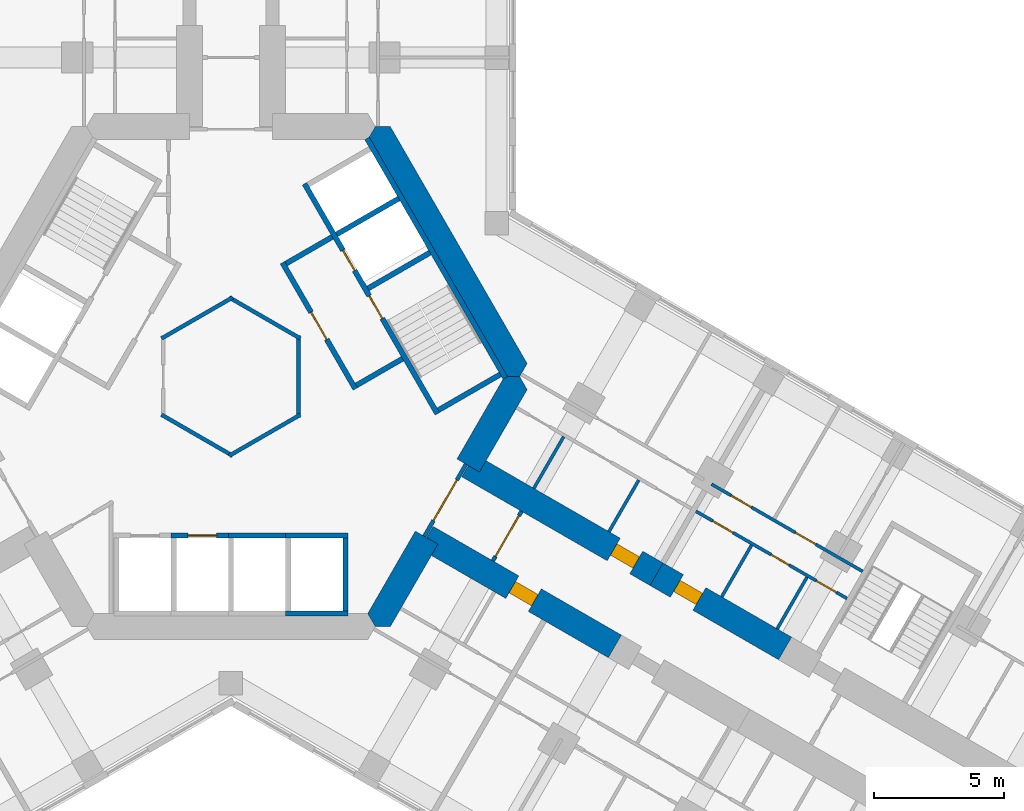
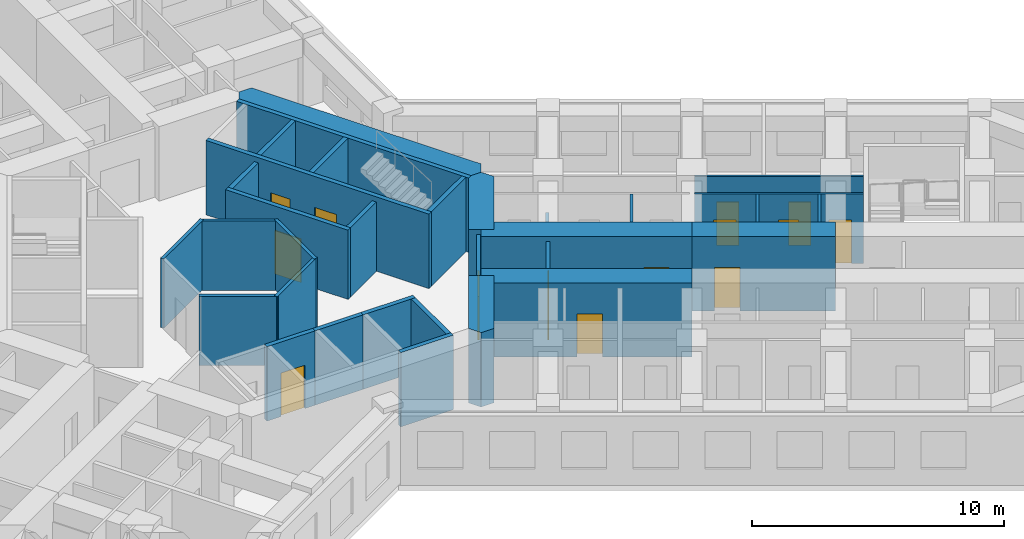
# One storey, part 15 of 21: 32 walls, 14 doors, 14 openings.
"""IFC4 building model written with IfcOpenShell, lengths in metres."""

from ifc_helpers import new_model, si_unit, direction, frame, frame_2d, origin, place, context, subcontext, project, spatial, polyline, rectangle, outline, extrude, material, layer, layer_set, type_object, element, fill, save


model = new_model("IFC4")

# Units and contexts
model_context = context("Model", 3, precision=1e-05, world=origin(), true_north=direction((0.0, 1.0)))
body_context = subcontext(model_context, "Body", "Model", "MODEL_VIEW")
ifc_project = project(units=[si_unit("LENGTHUNIT", "METRE"), si_unit("AREAUNIT", "SQUARE_METRE"), si_unit("VOLUMEUNIT", "CUBIC_METRE"), si_unit("PLANEANGLEUNIT", "RADIAN"), si_unit("MASSUNIT", "GRAM", prefix="KILO")], contexts=[model_context])

# Site, building, storey
site_placement = place(None, origin())
site = spatial("IfcSite", under=ifc_project, at=site_placement, CompositionType="ELEMENT")
building_placement = place(site_placement, origin())
building = spatial("IfcBuilding", under=site, at=building_placement, Name="Kosmar Iwan School Tower", CompositionType="ELEMENT")
storey_placement = place(building_placement, frame((0.0, 0.0, 84.39990234375)))
storey = spatial("IfcBuildingStorey", under=building, at=storey_placement, Name="L20", CompositionType="ELEMENT", Elevation=84.39990234375)

# Walls
ifc_material_1 = material(Name="Gypsum board on steel studs, fire-rated", Category="steel")
ifc_layer_1 = layer(ifc_material_1, 0.14990234375)
ifc_layer_set_1 = layer_set([ifc_layer_1], Name="Core room partition 150")
wall_type_1 = type_object("IfcWallType", Name="Core room partition 150", PredefinedType="PARTITIONING", material=ifc_layer_set_1)
for number, where, z_axis, x_axis, name in (
    (1, (2.6650390625, -1.463623046875, 0.0), (0.0, 0.0, 1.0), (-0.866023080072, -0.500004024767, 0.0), "Core room partition L20-CW4"),
    (2, (0.06494140625, -3.039794921875, 0.0), (0.0, 0.0, 1.0), (-0.866023080072, 0.500004024767, 0.0), "Core room partition L20-CW5"),
    (3, (-2.6650390625, 1.463623046875, 0.0), (0.0, 0.0, 1.0), (0.866023080072, 0.500004024767, 0.0), "Core room partition L20-CW7"),
    (4, (-0.06494140625, 3.039794921875, 0.0), (0.0, 0.0, 1.0), (0.866023080072, -0.500004024767, 0.0), "Core room partition L20-CW8"),
    (5, (2.60009765625, 1.576171875, 0.0), (0.0, 0.0, 1.0), (0.0, -1.0, 0.0), "Core room partition L20-CW9"),
):
    element("IfcWall", number, at=place(storey_placement, frame(where, z_axis=z_axis, x_axis=x_axis)), inside=storey, type_object=wall_type_1, Name=name, PredefinedType="PARTITIONING", context=body_context, shape_type="SweptSolid", body=[
        extrude(rectangle(XDim=3.15234375, YDim=0.14990234375, at=frame_2d((1.576171875, 0.0))), origin(), (0.0, 0.0, 1.0), 3.35009765625),
    ])
ifc_material_2 = material(Name="Concrete C50/60", Category="concrete")
ifc_layer_2 = layer(ifc_material_2, 1.0)
ifc_layer_set_2 = layer_set([ifc_layer_2], Name="Core wall 1000")
wall_type_2 = type_object("IfcWallType", Name="Core wall 1000", PredefinedType="SHEAR", material=ifc_layer_set_2)
wall_1_placement = place(storey_placement, origin())
element("IfcWall", 6, at=wall_1_placement, inside=storey, type_object=wall_type_2, Name="Core wall F030", PredefinedType="SHEAR", context=body_context, shape_type="SweptSolid", body=[
    extrude(outline(polyline([(10.5078125, 0.0), (11.085205078125, 0.0), (11.373779296875, 0.5), (6.119873046875, 9.60009765625), (5.54248046875, 9.60009765625), (5.25390625, 9.10009765625), (10.5078125, 0.0)])), origin(), (0.0, 0.0, 1.0), 3.60009765625),
])
wall_2_placement = place(storey_placement, origin())
element("IfcWall", 7, at=wall_2_placement, inside=storey, type_object=wall_type_2, Name="Core wall F330a", PredefinedType="SHEAR", context=body_context, shape_type="SweptSolid", body=[
    extrude(outline(polyline([(5.54248046875, -9.60009765625), (6.119873046875, -9.60009765625), (7.94677734375, -6.435546875), (7.080810546875, -5.935546875), (5.25390625, -9.10009765625), (5.54248046875, -9.60009765625)])), origin(), (0.0, 0.0, 1.0), 3.60009765625),
])
wall_3_placement = place(storey_placement, origin())
element("IfcWall", 8, at=wall_3_placement, inside=storey, type_object=wall_type_2, Name="Core wall F330b", PredefinedType="SHEAR", context=body_context, shape_type="SweptSolid", body=[
    extrude(outline(polyline([(9.546875, -3.664306640625), (11.373779296875, -0.5), (11.085205078125, 0.0), (10.5078125, 0.0), (8.680908203125, -3.164306640625), (9.546875, -3.664306640625)])), origin(), (0.0, 0.0, 1.0), 3.60009765625),
])

# Wall, opening, door
ifc_material_3 = material(Name="Concrete C50/60", Category="concrete")
ifc_layer_3 = layer(ifc_material_3, 1.0)
ifc_layer_set_3 = layer_set([ifc_layer_3], Name="Corridor buttress wall 1000")
wall_type_3 = type_object("IfcWallType", Name="Corridor buttress wall 1000", PredefinedType="SHEAR", material=ifc_layer_set_3)
wall_4_placement = place(storey_placement, frame((9.11376953125, -3.414306640625, 0.0), z_axis=(0.0, 0.0, 1.0), x_axis=(0.866026859388, -0.499997478812, 0.0)))
wall_4 = element("IfcWall", 9, at=wall_4_placement, inside=storey, type_object=wall_type_3, Name="Corridor wall CL", PredefinedType="SHEAR", context=body_context, shape_type="SweptSolid", body=[
    extrude(rectangle(XDim=8.35009765625, YDim=1.0, at=frame_2d((4.175048828125, 0.0))), origin(), (0.0, 0.0, 1.0), 3.60009765625),
])
opening_1_placement = place(wall_4_placement, frame((6.449951171875, 0.0, 0.0)))
opening_1 = element("IfcOpeningElement", 10, at=opening_1_placement, cuts=wall_4, Name="Opening D1", PredefinedType="OPENING", context=body_context, shape_type="SweptSolid", body=[
    extrude(rectangle(XDim=1.0, YDim=2.10009765625, at=frame_2d((0.5, 1.050048828125))), frame((0.0, 0.511962890625, 0.0), z_axis=(0.0, -1.0, 0.0), x_axis=(1.0, 0.0, 0.0)), (0.0, 0.0, 1.0), 1.02392578125),
])
ifc_material_4 = material(Name="Timber fire door in steel frame", Category="steel")
door_type_1 = type_object("IfcDoorType", Name="Flat entrance door 1000x2100", OperationType="SINGLE_SWING_LEFT", PredefinedType="DOOR", material=ifc_material_4)
door_1_placement = place(opening_1_placement, origin())
door_1 = element("IfcDoor", 11, at=door_1_placement, inside=storey, type_object=door_type_1, Name="Flat L20-CL1 entrance door", OperationType="SINGLE_SWING_LEFT", OverallHeight=2.10009765625, OverallWidth=1.0, PredefinedType="DOOR", context=body_context, shape_type="SweptSolid", body=[
    extrude(rectangle(XDim=1.0, YDim=2.10009765625, at=frame_2d((0.5, 1.050048828125))), frame((0.0, 0.25, 0.0), z_axis=(0.0, -1.0, 0.0), x_axis=(1.0, 0.0, 0.0)), (0.0, 0.0, 1.0), 0.5),
])
fill(opening_1, door_1)

wall_5_placement = place(storey_placement, frame((16.34521484375, -7.58935546875, 0.0), z_axis=(0.0, 0.0, 1.0), x_axis=(0.866015111908, -0.50001782563, 0.0)))
wall_5 = element("IfcWall", 12, at=wall_5_placement, inside=storey, type_object=wall_type_3, Name="Corridor wall CL bay 2", PredefinedType="SHEAR", context=body_context, shape_type="SweptSolid", body=[
    extrude(rectangle(XDim=5.699951171875, YDim=1.0, at=frame_2d((2.85009765625, 0.0))), origin(), (0.0, 0.0, 1.0), 3.60009765625),
])
opening_2_placement = place(wall_5_placement, frame((0.89990234375, 0.0, 0.0)))
opening_2 = element("IfcOpeningElement", 13, at=opening_2_placement, cuts=wall_5, Name="Opening D1", PredefinedType="OPENING", context=body_context, shape_type="SweptSolid", body=[
    extrude(rectangle(XDim=1.0, YDim=2.10009765625, at=frame_2d((0.5, 1.050048828125))), frame((0.0, 0.511962890625, 0.0), z_axis=(0.0, -1.0, 0.0), x_axis=(1.0, 0.0, 0.0)), (0.0, 0.0, 1.0), 1.02392578125),
])
door_2_placement = place(opening_2_placement, origin())
door_2 = element("IfcDoor", 14, at=door_2_placement, inside=storey, type_object=door_type_1, Name="Flat L20-CL2 entrance door", OperationType="SINGLE_SWING_RIGHT", OverallHeight=2.10009765625, OverallWidth=1.0, PredefinedType="DOOR", context=body_context, shape_type="SweptSolid", body=[
    extrude(rectangle(XDim=1.0, YDim=2.10009765625, at=frame_2d((0.5, 1.050048828125))), frame((0.0, 0.25, 0.0), z_axis=(0.0, -1.0, 0.0), x_axis=(1.0, 0.0, 0.0)), (0.0, 0.0, 1.0), 0.5),
])
fill(opening_2, door_2)

wall_6_placement = place(storey_placement, frame((7.513916015625, -6.185546875, 0.0), z_axis=(0.0, 0.0, 1.0), x_axis=(0.866019549707, -0.500010139422, 0.0)))
wall_6 = element("IfcWall", 15, at=wall_6_placement, inside=storey, type_object=wall_type_3, Name="Corridor wall CR", PredefinedType="SHEAR", context=body_context, shape_type="SweptSolid", body=[
    extrude(rectangle(XDim=8.349853515625, YDim=1.0, at=frame_2d((4.1748046875, 0.0))), origin(), (0.0, 0.0, 1.0), 3.60009765625),
])
opening_3_placement = place(wall_6_placement, frame((3.800048828125, 0.0, 0.0)))
opening_3 = element("IfcOpeningElement", 16, at=opening_3_placement, cuts=wall_6, Name="Opening D1", PredefinedType="OPENING", context=body_context, shape_type="SweptSolid", body=[
    extrude(rectangle(XDim=1.0, YDim=2.10009765625, at=frame_2d((0.5, 1.050048828125))), frame((0.0, 0.511962890625, 0.0), z_axis=(0.0, -1.0, 0.0), x_axis=(1.0, 0.0, 0.0)), (0.0, 0.0, 1.0), 1.02392578125),
])
door_3_placement = place(opening_3_placement, origin())
door_3 = element("IfcDoor", 17, at=door_3_placement, inside=storey, type_object=door_type_1, Name="Flat L20-CR1 entrance door", OperationType="SINGLE_SWING_LEFT", OverallHeight=2.10009765625, OverallWidth=1.0, PredefinedType="DOOR", context=body_context, shape_type="SweptSolid", body=[
    extrude(rectangle(XDim=1.0, YDim=2.10009765625, at=frame_2d((0.5, 1.050048828125))), frame((0.0, 0.25, 0.0), z_axis=(0.0, -1.0, 0.0), x_axis=(1.0, 0.0, 0.0)), (0.0, 0.0, 1.0), 0.5),
])
fill(opening_3, door_3)

ifc_material_5 = material(Name="Gypsum board on steel studs, fire-rated", Category="steel")
ifc_layer_4 = layer(ifc_material_5, 0.14990234375)
ifc_layer_set_4 = layer_set([ifc_layer_4], Name="Corridor end wall 150")
wall_type_4 = type_object("IfcWallType", Name="Corridor end wall 150", PredefinedType="PARTITIONING", material=ifc_layer_set_4)
wall_7_placement = place(storey_placement, frame((10.058837890625, -7.07763671875, 0.0), z_axis=(0.0, 0.0, 1.0), x_axis=(0.50002983664, 0.866008176907, 0.0)))
wall_7 = element("IfcWall", 18, at=wall_7_placement, inside=storey, type_object=wall_type_4, Name="Partition L20-C-HW", PredefinedType="PARTITIONING", context=body_context, shape_type="SweptSolid", body=[
    extrude(rectangle(XDim=2.199951171875, YDim=0.14990234375, at=frame_2d((1.10009765625, 0.0))), origin(), (0.0, 0.0, 1.0), 3.35009765625),
])
opening_4_placement = place(wall_7_placement, frame((0.199951171875, 0.0, 0.0)))
opening_4 = element("IfcOpeningElement", 19, at=opening_4_placement, cuts=wall_7, Name="Opening D9", PredefinedType="OPENING", context=body_context, shape_type="SweptSolid", body=[
    extrude(rectangle(XDim=1.800048828125, YDim=2.10009765625, at=frame_2d((0.89990234375, 1.050048828125))), frame((0.0, 0.0869140625, 0.0), z_axis=(0.0, -1.0, 0.0), x_axis=(1.0, 0.0, 0.0)), (0.0, 0.0, 1.0), 0.173828125),
])
ifc_material_6 = material(Name="Steel framed glazed smoke door", Category="steel")
door_type_2 = type_object("IfcDoorType", Name="Corridor smoke door pair 1800x2100", OperationType="DOUBLE_DOOR_DOUBLE_SWING", PredefinedType="DOOR", material=ifc_material_6)
door_4_placement = place(opening_4_placement, origin())
door_4 = element("IfcDoor", 20, at=door_4_placement, inside=storey, type_object=door_type_2, Name="Entrance vestibule smoke doors L20-C", OperationType="DOUBLE_DOOR_DOUBLE_SWING", OverallHeight=2.10009765625, OverallWidth=1.800048828125, PredefinedType="DOOR", context=body_context, shape_type="SweptSolid", body=[
    extrude(rectangle(XDim=1.800048828125, YDim=2.10009765625, at=frame_2d((0.89990234375, 1.050048828125))), frame((0.0, 0.02490234375, 0.0), z_axis=(0.0, -1.0, 0.0), x_axis=(1.0, 0.0, 0.0)), (0.0, 0.0, 1.0), 0.050048828125),
])
fill(opening_4, door_4)

ifc_material_7 = material(Name="Steel framed glazed screen", Category="steel")
ifc_layer_5 = layer(ifc_material_7, 0.14990234375)
ifc_layer_set_5 = layer_set([ifc_layer_5], Name="Corridor screen wall 150")
wall_type_5 = type_object("IfcWallType", Name="Corridor screen wall 150", PredefinedType="PARTITIONING", material=ifc_layer_set_5)
wall_8_placement = place(storey_placement, frame((7.42724609375, -6.1357421875, 0.0), z_axis=(0.0, 0.0, 1.0), x_axis=(0.499995408039, 0.866028054938, 0.0)))
wall_8 = element("IfcWall", 21, at=wall_8_placement, inside=storey, type_object=wall_type_5, Name="Corridor screen C L20", PredefinedType="PARTITIONING", context=body_context, shape_type="SweptSolid", body=[
    extrude(rectangle(XDim=3.2001953125, YDim=0.14990234375, at=frame_2d((1.60009765625, 0.0))), origin(), (0.0, 0.0, 1.0), 3.35009765625),
])
opening_5_placement = place(wall_8_placement, frame((0.699951171875, 0.0, 0.0)))
opening_5 = element("IfcOpeningElement", 22, at=opening_5_placement, cuts=wall_8, Name="Opening D9", PredefinedType="OPENING", context=body_context, shape_type="SweptSolid", body=[
    extrude(rectangle(XDim=1.800048828125, YDim=2.10009765625, at=frame_2d((0.89990234375, 1.050048828125))), frame((0.0, 0.0869140625, 0.0), z_axis=(0.0, -1.0, 0.0), x_axis=(1.0, 0.0, 0.0)), (0.0, 0.0, 1.0), 0.173828125),
])
door_5_placement = place(opening_5_placement, origin())
door_5 = element("IfcDoor", 23, at=door_5_placement, inside=storey, type_object=door_type_2, Name="Corridor doors C L20", OperationType="DOUBLE_DOOR_DOUBLE_SWING", OverallHeight=2.10009765625, OverallWidth=1.800048828125, PredefinedType="DOOR", context=body_context, shape_type="SweptSolid", body=[
    extrude(rectangle(XDim=1.800048828125, YDim=2.10009765625, at=frame_2d((0.89990234375, 1.050048828125))), frame((0.0, 0.02490234375, 0.0), z_axis=(0.0, -1.0, 0.0), x_axis=(1.0, 0.0, 0.0)), (0.0, 0.0, 1.0), 0.050048828125),
])
fill(opening_5, door_5)

# Walls
ifc_material_8 = material(Name="Gypsum board on steel studs", Category="steel")
ifc_layer_6 = layer(ifc_material_8, 0.1201171875)
ifc_layer_set_6 = layer_set([ifc_layer_6], Name="Dwelling partition 120")
wall_type_6 = type_object("IfcWallType", Name="Dwelling partition 120", PredefinedType="PARTITIONING", material=ifc_layer_set_6)
wall_9_placement = place(storey_placement, frame((11.6328125, -4.291259765625, 0.0), z_axis=(0.0, 0.0, 1.0), x_axis=(0.500014693593, 0.866016920268, 0.0)))
element("IfcWall", 24, at=wall_9_placement, inside=storey, type_object=wall_type_6, Name="Partition L20-CL1-Y1", PredefinedType="PARTITIONING", context=body_context, shape_type="SweptSolid", body=[
    extrude(rectangle(XDim=2.2900390625, YDim=0.1201171875, at=frame_2d((1.14501953125, 0.0))), origin(), (0.0, 0.0, 1.0), 2.4501953125),
])
wall_10_placement = place(storey_placement, frame((14.5166015625, -5.956298828125, 0.0), z_axis=(0.0, 0.0, 1.0), x_axis=(0.500014693593, 0.866016920268, 0.0)))
element("IfcWall", 25, at=wall_10_placement, inside=storey, type_object=wall_type_6, Name="Partition L20-CL1-Y2", PredefinedType="PARTITIONING", context=body_context, shape_type="SweptSolid", body=[
    extrude(rectangle(XDim=2.2900390625, YDim=0.1201171875, at=frame_2d((1.14501953125, 0.0))), origin(), (0.0, 0.0, 1.0), 3.35009765625),
])

# Wall, openings, doors
wall_11_placement = place(storey_placement, frame((17.856689453125, -5.171142578125, 0.0), z_axis=(0.0, 0.0, 1.0), x_axis=(0.866023571113, -0.500003174267, 0.0)))
wall_11 = element("IfcWall", 26, at=wall_11_placement, inside=storey, type_object=wall_type_6, Name="Partition L20-CL2-W1", PredefinedType="PARTITIONING", context=body_context, shape_type="SweptSolid", body=[
    extrude(rectangle(XDim=6.7001953125, YDim=0.1201171875, at=frame_2d((3.35009765625, 0.0))), origin(), (0.0, 0.0, 1.0), 3.35009765625),
])
opening_6_placement = place(wall_11_placement, frame((0.75, 0.0, 0.0)))
opening_6 = element("IfcOpeningElement", 27, at=opening_6_placement, cuts=wall_11, Name="Opening D2", PredefinedType="OPENING", context=body_context, shape_type="SweptSolid", body=[
    extrude(rectangle(XDim=0.89990234375, YDim=2.10009765625, at=frame_2d((0.449951171875, 1.050048828125))), frame((0.0, 0.072021484375, 0.0), z_axis=(0.0, -1.0, 0.0), x_axis=(1.0, 0.0, 0.0)), (0.0, 0.0, 1.0), 0.14404296875),
])
opening_7_placement = place(wall_11_placement, frame((3.330078125, 0.0, 0.0)))
opening_7 = element("IfcOpeningElement", 28, at=opening_7_placement, cuts=wall_11, Name="Opening D3", PredefinedType="OPENING", context=body_context, shape_type="SweptSolid", body=[
    extrude(rectangle(XDim=0.800048828125, YDim=2.10009765625, at=frame_2d((0.39990234375, 1.050048828125))), frame((0.0, 0.072021484375, 0.0), z_axis=(0.0, -1.0, 0.0), x_axis=(1.0, 0.0, 0.0)), (0.0, 0.0, 1.0), 0.14404296875),
])
opening_8_placement = place(wall_11_placement, frame((5.330078125, 0.0, 0.0)))
opening_8 = element("IfcOpeningElement", 29, at=opening_8_placement, cuts=wall_11, Name="Opening D2", PredefinedType="OPENING", context=body_context, shape_type="SweptSolid", body=[
    extrude(rectangle(XDim=0.89990234375, YDim=2.10009765625, at=frame_2d((0.449951171875, 1.050048828125))), frame((0.0, 0.072021484375, 0.0), z_axis=(0.0, -1.0, 0.0), x_axis=(1.0, 0.0, 0.0)), (0.0, 0.0, 1.0), 0.14404296875),
])
ifc_material_9 = material(Name="Timber door in timber frame", Category="wood")
door_type_3 = type_object("IfcDoorType", Name="Internal door 900x2100", OperationType="SINGLE_SWING_LEFT", PredefinedType="DOOR", material=ifc_material_9)
door_6_placement = place(opening_6_placement, origin())
door_6 = element("IfcDoor", 30, at=door_6_placement, inside=storey, type_object=door_type_3, Name="Entrance hall door L20-CL2-S1", OperationType="SINGLE_SWING_LEFT", OverallHeight=2.10009765625, OverallWidth=0.89990234375, PredefinedType="DOOR", context=body_context, shape_type="SweptSolid", body=[
    extrude(rectangle(XDim=0.89990234375, YDim=2.10009765625, at=frame_2d((0.449951171875, 1.050048828125))), frame((0.0, 0.02490234375, 0.0), z_axis=(0.0, -1.0, 0.0), x_axis=(1.0, 0.0, 0.0)), (0.0, 0.0, 1.0), 0.050048828125),
])
fill(opening_6, door_6)
door_7_placement = place(opening_8_placement, frame((0.89990234375, 0.0, 0.0), z_axis=(0.0, 0.0, 1.0), x_axis=(-1.0, 0.0, 0.0)))
door_7 = element("IfcDoor", 31, at=door_7_placement, inside=storey, type_object=door_type_3, Name="Pantry door L20-CL2-S3", OperationType="SINGLE_SWING_LEFT", OverallHeight=2.10009765625, OverallWidth=0.89990234375, PredefinedType="DOOR", context=body_context, shape_type="SweptSolid", body=[
    extrude(rectangle(XDim=0.89990234375, YDim=2.10009765625, at=frame_2d((0.449951171875, 1.050048828125))), frame((0.0, 0.02490234375, 0.0), z_axis=(0.0, -1.0, 0.0), x_axis=(1.0, 0.0, 0.0)), (0.0, 0.0, 1.0), 0.050048828125),
])
fill(opening_8, door_7)
ifc_material_10 = material(Name="Timber door in timber frame", Category="wood")
door_type_4 = type_object("IfcDoorType", Name="Sanitary room door 800x2100", OperationType="SINGLE_SWING_LEFT", PredefinedType="DOOR", material=ifc_material_10)
door_8_placement = place(opening_7_placement, origin())
door_8 = element("IfcDoor", 32, at=door_8_placement, inside=storey, type_object=door_type_4, Name="Bathroom door L20-CL2-S2", OperationType="SINGLE_SWING_RIGHT", OverallHeight=2.10009765625, OverallWidth=0.800048828125, PredefinedType="DOOR", context=body_context, shape_type="SweptSolid", body=[
    extrude(rectangle(XDim=0.800048828125, YDim=2.10009765625, at=frame_2d((0.39990234375, 1.050048828125))), frame((0.0, 0.02490234375, 0.0), z_axis=(0.0, -1.0, 0.0), x_axis=(1.0, 0.0, 0.0)), (0.0, 0.0, 1.0), 0.050048828125),
])
fill(opening_7, door_8)

wall_12_placement = place(storey_placement, frame((18.456787109375, -4.1318359375, 0.0), z_axis=(0.0, 0.0, 1.0), x_axis=(0.866014461049, -0.500018952895, 0.0)))
wall_12 = element("IfcWall", 33, at=wall_12_placement, inside=storey, type_object=wall_type_6, Name="Partition L20-CL2-W2", PredefinedType="PARTITIONING", context=body_context, shape_type="SweptSolid", body=[
    extrude(rectangle(XDim=6.699951171875, YDim=0.1201171875, at=frame_2d((3.35009765625, 0.0))), origin(), (0.0, 0.0, 1.0), 3.35009765625),
])
opening_9_placement = place(wall_12_placement, frame((0.875, 0.0, 0.0)))
opening_9 = element("IfcOpeningElement", 34, at=opening_9_placement, cuts=wall_12, Name="Opening D2", PredefinedType="OPENING", context=body_context, shape_type="SweptSolid", body=[
    extrude(rectangle(XDim=0.89990234375, YDim=2.10009765625, at=frame_2d((0.449951171875, 1.050048828125))), frame((0.0, 0.072021484375, 0.0), z_axis=(0.0, -1.0, 0.0), x_axis=(1.0, 0.0, 0.0)), (0.0, 0.0, 1.0), 0.14404296875),
])
opening_10_placement = place(wall_12_placement, frame((3.72509765625, 0.0, 0.0)))
opening_10 = element("IfcOpeningElement", 35, at=opening_10_placement, cuts=wall_12, Name="Opening D2", PredefinedType="OPENING", context=body_context, shape_type="SweptSolid", body=[
    extrude(rectangle(XDim=0.89990234375, YDim=2.10009765625, at=frame_2d((0.449951171875, 1.050048828125))), frame((0.0, 0.072021484375, 0.0), z_axis=(0.0, -1.0, 0.0), x_axis=(1.0, 0.0, 0.0)), (0.0, 0.0, 1.0), 0.14404296875),
])
door_9_placement = place(opening_9_placement, origin())
door_9 = element("IfcDoor", 36, at=door_9_placement, inside=storey, type_object=door_type_3, Name="Living room and kitchen door L20-CL2-F1", OperationType="SINGLE_SWING_LEFT", OverallHeight=2.10009765625, OverallWidth=0.89990234375, PredefinedType="DOOR", context=body_context, shape_type="SweptSolid", body=[
    extrude(rectangle(XDim=0.89990234375, YDim=2.10009765625, at=frame_2d((0.449951171875, 1.050048828125))), frame((0.0, 0.02490234375, 0.0), z_axis=(0.0, -1.0, 0.0), x_axis=(1.0, 0.0, 0.0)), (0.0, 0.0, 1.0), 0.050048828125),
])
fill(opening_9, door_9)
door_10_placement = place(opening_10_placement, origin())
door_10 = element("IfcDoor", 37, at=door_10_placement, inside=storey, type_object=door_type_3, Name="Bedroom 1 door L20-CL2-F2", OperationType="SINGLE_SWING_RIGHT", OverallHeight=2.10009765625, OverallWidth=0.89990234375, PredefinedType="DOOR", context=body_context, shape_type="SweptSolid", body=[
    extrude(rectangle(XDim=0.89990234375, YDim=2.10009765625, at=frame_2d((0.449951171875, 1.050048828125))), frame((0.0, 0.02490234375, 0.0), z_axis=(0.0, -1.0, 0.0), x_axis=(1.0, 0.0, 0.0)), (0.0, 0.0, 1.0), 0.050048828125),
])
fill(opening_10, door_10)

# Walls
for number, where, z_axis, x_axis, name in (
    (38, (18.846923828125, -8.456298828125, 0.0), (0.0, 0.0, 1.0), (0.500014693593, 0.866016920268, 0.0), "Partition L20-CL2-Y1"),
    (39, (20.977294921875, -9.686279296875, 0.0), (0.0, 0.0, 1.0), (0.500014693593, 0.866016920268, 0.0), "Partition L20-CL2-Y2"),
):
    element("IfcWall", number, at=place(storey_placement, frame(where, z_axis=z_axis, x_axis=x_axis)), inside=storey, type_object=wall_type_6, Name=name, PredefinedType="PARTITIONING", context=body_context, shape_type="SweptSolid", body=[
        extrude(rectangle(XDim=2.2900390625, YDim=0.1201171875, at=frame_2d((1.14501953125, 0.0))), origin(), (0.0, 0.0, 1.0), 3.35009765625),
    ])

# Wall, opening, door
ifc_material_11 = material(Name="Concrete block masonry", Category="masonry")
ifc_layer_7 = layer(ifc_material_11, 0.199951171875)
ifc_layer_set_7 = layer_set([ifc_layer_7], Name="Fire lobby wall 200")
wall_type_7 = type_object("IfcWallType", Name="Fire lobby wall 200", PredefinedType="PARTITIONING", material=ifc_layer_set_7)
wall_13_placement = place(storey_placement, frame((4.777587890625, -0.474853515625, 0.0), z_axis=(0.0, 0.0, 1.0), x_axis=(-0.500016814911, 0.866015695474, 0.0)))
wall_13 = element("IfcWall", 40, at=wall_13_placement, inside=storey, type_object=wall_type_7, Name="Firefighting lobby wall ST1", PredefinedType="PARTITIONING", context=body_context, shape_type="SweptSolid", body=[
    extrude(rectangle(XDim=5.599853515625, YDim=0.199951171875, at=frame_2d((2.7998046875, 0.0))), origin(), (0.0, 0.0, 1.0), 3.35009765625),
])
opening_11_placement = place(wall_13_placement, frame((2.199951171875, 0.0, 0.0)))
opening_11 = element("IfcOpeningElement", 41, at=opening_11_placement, cuts=wall_13, Name="Opening D7", PredefinedType="OPENING", context=body_context, shape_type="SweptSolid", body=[
    extrude(rectangle(XDim=1.199951171875, YDim=2.10009765625, at=frame_2d((0.60009765625, 1.050048828125))), frame((0.0, 0.112060546875, 0.0), z_axis=(0.0, -1.0, 0.0), x_axis=(1.0, 0.0, 0.0)), (0.0, 0.0, 1.0), 0.223876953125),
])
ifc_material_12 = material(Name="Steel fire door", Category="steel")
door_type_5 = type_object("IfcDoorType", Name="Fire lobby door 1200x2100", OperationType="SINGLE_SWING_LEFT", PredefinedType="DOOR", material=ifc_material_12)
door_11_placement = place(opening_11_placement, frame((1.199951171875, 0.0, 0.0), z_axis=(0.0, 0.0, 1.0), x_axis=(-1.0, 0.0, 0.0)))
door_11 = element("IfcDoor", 42, at=door_11_placement, inside=storey, type_object=door_type_5, Name="Firefighting lobby door ST1 L20", OperationType="SINGLE_SWING_LEFT", OverallHeight=2.10009765625, OverallWidth=1.199951171875, PredefinedType="DOOR", context=body_context, shape_type="SweptSolid", body=[
    extrude(rectangle(XDim=1.199951171875, YDim=2.10009765625, at=frame_2d((0.60009765625, 1.050048828125))), frame((0.0, 0.02490234375, 0.0), z_axis=(0.0, -1.0, 0.0), x_axis=(1.0, 0.0, 0.0)), (0.0, 0.0, 1.0), 0.050048828125),
])
fill(opening_11, door_11)

# Walls
wall_14_placement = place(storey_placement, frame((4.814208984375, -0.33837890625, 0.0), z_axis=(0.0, 0.0, 1.0), x_axis=(0.865969381856, 0.500097020274, 0.0)))
element("IfcWall", 43, at=wall_14_placement, inside=storey, type_object=wall_type_7, Name="Firefighting lobby wall ST1", PredefinedType="PARTITIONING", context=body_context, shape_type="SweptSolid", body=[
    extrude(rectangle(XDim=2.0498046875, YDim=0.199951171875, at=frame_2d((1.02490234375, 0.0))), origin(), (0.0, 0.0, 1.0), 3.35009765625),
])
wall_15_placement = place(storey_placement, frame((2.114013671875, 4.33837890625, 0.0), z_axis=(0.0, 0.0, 1.0), x_axis=(0.866050731258, 0.499956128963, 0.0)))
element("IfcWall", 44, at=wall_15_placement, inside=storey, type_object=wall_type_7, Name="Firefighting lobby wall ST1", PredefinedType="PARTITIONING", context=body_context, shape_type="SweptSolid", body=[
    extrude(rectangle(XDim=2.050048828125, YDim=0.199951171875, at=frame_2d((1.02490234375, 0.0))), origin(), (0.0, 0.0, 1.0), 3.35009765625),
])

# Wall, openings, doors
ifc_material_13 = material(Name="Concrete C50/60", Category="concrete")
ifc_layer_8 = layer(ifc_material_13, 0.199951171875)
ifc_layer_set_8 = layer_set([ifc_layer_8], Name="Lift shaft wall 200")
wall_type_8 = type_object("IfcWallType", Name="Lift shaft wall 200", PredefinedType="SHEAR", material=ifc_layer_set_8)
wall_16_placement = place(storey_placement, frame((7.926025390625, -1.42822265625, 0.0), z_axis=(0.0, 0.0, 1.0), x_axis=(-0.499998023675, 0.866026544813, 0.0)))
wall_16 = element("IfcWall", 45, at=wall_16_placement, inside=storey, type_object=wall_type_8, Name="Lift and stair front wall AC", PredefinedType="SHEAR", context=body_context, shape_type="SweptSolid", body=[
    extrude(rectangle(XDim=10.19970703125, YDim=0.199951171875, at=frame_2d((5.099853515625, 0.0))), origin(), (0.0, 0.0, 1.0), 3.60009765625),
])
opening_12_placement = place(wall_16_placement, frame((6.35009765625, 0.0, 0.0)))
opening_12 = element("IfcOpeningElement", 46, at=opening_12_placement, cuts=wall_16, Name="Opening LD2", PredefinedType="OPENING", context=body_context, shape_type="SweptSolid", body=[
    extrude(rectangle(XDim=0.89990234375, YDim=2.10009765625, at=frame_2d((0.449951171875, 1.050048828125))), frame((0.0, 0.112060546875, 0.0), z_axis=(0.0, -1.0, 0.0), x_axis=(1.0, 0.0, 0.0)), (0.0, 0.0, 1.0), 0.223876953125),
])
opening_13_placement = place(wall_16_placement, frame((4.22998046875, 0.0, 0.0)))
opening_13 = element("IfcOpeningElement", 47, at=opening_13_placement, cuts=wall_16, Name="Opening D6", PredefinedType="OPENING", context=body_context, shape_type="SweptSolid", body=[
    extrude(rectangle(XDim=1.0, YDim=2.10009765625, at=frame_2d((0.5, 1.050048828125))), frame((0.0, 0.112060546875, 0.0), z_axis=(0.0, -1.0, 0.0), x_axis=(1.0, 0.0, 0.0)), (0.0, 0.0, 1.0), 0.223876953125),
])
ifc_material_14 = material(Name="Stainless steel sliding lift door", Category="steel")
door_type_6 = type_object("IfcDoorType", Name="Firefighting lift landing door 900x2100", OperationType="SLIDING_TO_LEFT", PredefinedType="DOOR", material=ifc_material_14)
door_12_placement = place(opening_12_placement, origin())
door_12 = element("IfcDoor", 48, at=door_12_placement, inside=storey, type_object=door_type_6, Name="Lift FF1 landing door L20", OperationType="SLIDING_TO_LEFT", OverallHeight=2.10009765625, OverallWidth=0.89990234375, PredefinedType="DOOR", context=body_context, shape_type="SweptSolid", body=[
    extrude(rectangle(XDim=0.89990234375, YDim=2.10009765625, at=frame_2d((0.449951171875, 1.050048828125))), frame((0.0, 0.02490234375, 0.0), z_axis=(0.0, -1.0, 0.0), x_axis=(1.0, 0.0, 0.0)), (0.0, 0.0, 1.0), 0.050048828125),
])
fill(opening_12, door_12)
ifc_material_15 = material(Name="Steel fire door", Category="steel")
door_type_7 = type_object("IfcDoorType", Name="Stair door 1000x2100", OperationType="SINGLE_SWING_LEFT", PredefinedType="DOOR", material=ifc_material_15)
door_13_placement = place(opening_13_placement, origin())
door_13 = element("IfcDoor", 49, at=door_13_placement, inside=storey, type_object=door_type_7, Name="Stair ST1 door L20", OperationType="SINGLE_SWING_LEFT", OverallHeight=2.10009765625, OverallWidth=1.0, PredefinedType="DOOR", context=body_context, shape_type="SweptSolid", body=[
    extrude(rectangle(XDim=1.0, YDim=2.10009765625, at=frame_2d((0.5, 1.050048828125))), frame((0.0, 0.02490234375, 0.0), z_axis=(0.0, -1.0, 0.0), x_axis=(1.0, 0.0, 0.0)), (0.0, 0.0, 1.0), 0.050048828125),
])
fill(opening_13, door_13)

# Walls
wall_17_placement = place(storey_placement, frame((10.53662109375, -0.050048828125, 0.0), z_axis=(0.0, 0.0, 1.0), x_axis=(-0.499994998079, 0.866028291626, 0.0)))
element("IfcWall", 50, at=wall_17_placement, inside=storey, type_object=wall_type_8, Name="Lift and stair back wall AC", PredefinedType="SHEAR", context=body_context, shape_type="SweptSolid", body=[
    extrude(rectangle(XDim=10.623046875, YDim=0.199951171875, at=frame_2d((5.3115234375, 0.0))), origin(), (0.0, 0.0, 1.0), 3.60009765625),
])
wall_18_placement = place(storey_placement, frame((4.062744140625, 5.46337890625, 0.0), z_axis=(0.0, 0.0, 1.0), x_axis=(0.866027397988, 0.499996545922, 0.0)))
element("IfcWall", 51, at=wall_18_placement, inside=storey, type_object=wall_type_8, Name="Lift shaft wall AC 1", PredefinedType="SHEAR", context=body_context, shape_type="SweptSolid", body=[
    extrude(rectangle(XDim=2.75, YDim=0.199951171875, at=frame_2d((1.375, 0.0))), origin(), (0.0, 0.0, 1.0), 3.60009765625),
])

# Wall, opening, door
wall_19_placement = place(storey_placement, frame((-2.300048828125, -6.10009765625, 0.0), z_axis=(0.0, 0.0, 1.0), x_axis=(1.0, 0.0, 0.0)))
wall_19 = element("IfcWall", 52, at=wall_19_placement, inside=storey, type_object=wall_type_8, Name="Lift and stair front wall BC", PredefinedType="SHEAR", context=body_context, shape_type="SweptSolid", body=[
    extrude(rectangle(XDim=2.199951171875, YDim=0.199951171875, at=frame_2d((1.10009765625, 0.0))), origin(), (0.0, 0.0, 1.0), 3.60009765625),
])
opening_14_placement = place(wall_19_placement, frame((0.64990234375, 0.0, 0.0)))
opening_14 = element("IfcOpeningElement", 53, at=opening_14_placement, cuts=wall_19, Name="Opening LD1", PredefinedType="OPENING", context=body_context, shape_type="SweptSolid", body=[
    extrude(rectangle(XDim=1.10009765625, YDim=2.10009765625, at=frame_2d((0.550048828125, 1.050048828125))), frame((0.0, 0.112060546875, 0.0), z_axis=(0.0, -1.0, 0.0), x_axis=(1.0, 0.0, 0.0)), (0.0, 0.0, 1.0), 0.223876953125),
])
ifc_material_16 = material(Name="Stainless steel sliding lift door", Category="steel")
door_type_8 = type_object("IfcDoorType", Name="Lift landing door 1100x2100", OperationType="SLIDING_TO_LEFT", PredefinedType="DOOR", material=ifc_material_16)
door_14_placement = place(opening_14_placement, origin())
door_14 = element("IfcDoor", 54, at=door_14_placement, inside=storey, type_object=door_type_8, Name="Lift PL2 landing door L20", OperationType="SLIDING_TO_LEFT", OverallHeight=2.10009765625, OverallWidth=1.10009765625, PredefinedType="DOOR", context=body_context, shape_type="SweptSolid", body=[
    extrude(rectangle(XDim=1.10009765625, YDim=2.10009765625, at=frame_2d((0.550048828125, 1.050048828125))), frame((0.0, 0.02490234375, 0.0), z_axis=(0.0, -1.0, 0.0), x_axis=(1.0, 0.0, 0.0)), (0.0, 0.0, 1.0), 0.050048828125),
])
fill(opening_14, door_14)

# Walls
wall_20_placement = place(storey_placement, frame((-0.10009765625, -6.10009765625, 0.0), z_axis=(0.0, 0.0, 1.0), x_axis=(1.0, 0.0, 0.0)))
element("IfcWall", 55, at=wall_20_placement, inside=storey, type_object=wall_type_8, Name="Lift and stair front wall BC", PredefinedType="SHEAR", context=body_context, shape_type="SweptSolid", body=[
    extrude(rectangle(XDim=2.2001953125, YDim=0.199951171875, at=frame_2d((1.10009765625, 0.0))), origin(), (0.0, 0.0, 1.0), 3.60009765625),
])
for number, where, z_axis, x_axis, name in (
    (56, (2.10009765625, -6.10009765625, 0.0), (0.0, 0.0, 1.0), (1.0, 0.0, 0.0), "Lift and stair front wall BC"),
    (57, (2.10009765625, -9.10009765625, 0.0), (0.0, 0.0, 1.0), (1.0, 0.0, 0.0), "Lift and stair back wall BC"),
):
    element("IfcWall", number, at=place(storey_placement, frame(where, z_axis=z_axis, x_axis=x_axis)), inside=storey, type_object=wall_type_8, Name=name, PredefinedType="SHEAR", context=body_context, shape_type="SweptSolid", body=[
        extrude(rectangle(XDim=2.39990234375, YDim=0.199951171875, at=frame_2d((1.199951171875, 0.0))), origin(), (0.0, 0.0, 1.0), 3.60009765625),
    ])
wall_21_placement = place(storey_placement, frame((4.39990234375, -6.199951171875, 0.0), z_axis=(0.0, 0.0, 1.0), x_axis=(0.0, -1.0, 0.0)))
element("IfcWall", 58, at=wall_21_placement, inside=storey, type_object=wall_type_8, Name="Lift shaft wall BC 4", PredefinedType="SHEAR", context=body_context, shape_type="SweptSolid", body=[
    extrude(rectangle(XDim=2.800048828125, YDim=0.199951171875, at=frame_2d((1.39990234375, 0.0))), origin(), (0.0, 0.0, 1.0), 3.60009765625),
])
ifc_material_17 = material(Name="Concrete C50/60", Category="concrete")
ifc_layer_9 = layer(ifc_material_17, 0.199951171875)
ifc_layer_set_9 = layer_set([ifc_layer_9], Name="Stair enclosure wall 200")
wall_type_9 = type_object("IfcWallType", Name="Stair enclosure wall 200", PredefinedType="SHEAR", material=ifc_layer_set_9)
for number, where, z_axis, x_axis, name in (
    (59, (7.962646484375, -1.291748046875, 0.0), (0.0, 0.0, 1.0), (0.866027397988, 0.499996545922, 0.0), "Stair ST1 wall"),
    (60, (5.2626953125, 3.384765625, 0.0), (0.0, 0.0, 1.0), (0.866027397988, 0.499996545922, 0.0), "Stair ST1 wall"),
):
    element("IfcWall", number, at=place(storey_placement, frame(where, z_axis=z_axis, x_axis=x_axis)), inside=storey, type_object=wall_type_9, Name=name, PredefinedType="SHEAR", context=body_context, shape_type="SweptSolid", body=[
        extrude(rectangle(XDim=2.75, YDim=0.199951171875, at=frame_2d((1.375, 0.0))), origin(), (0.0, 0.0, 1.0), 3.60009765625),
    ])

save(model, "model.ifc")
